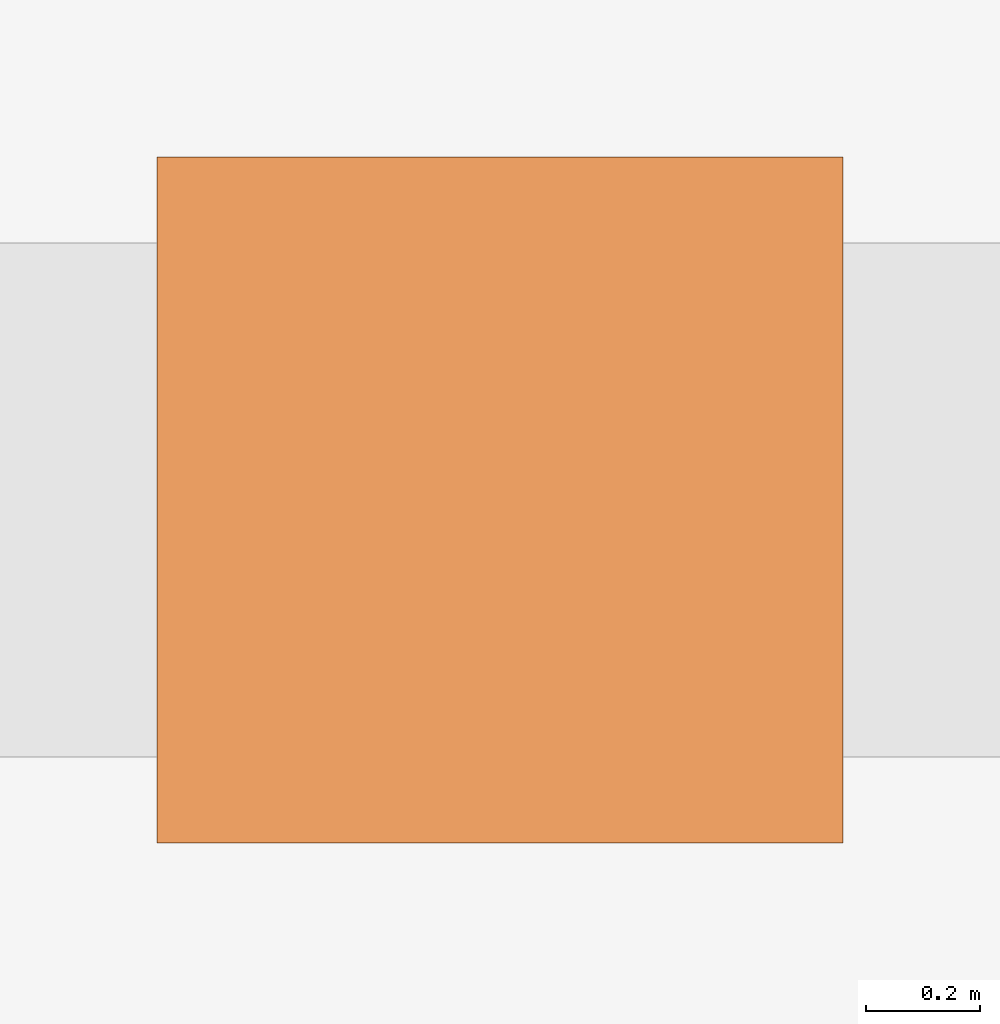
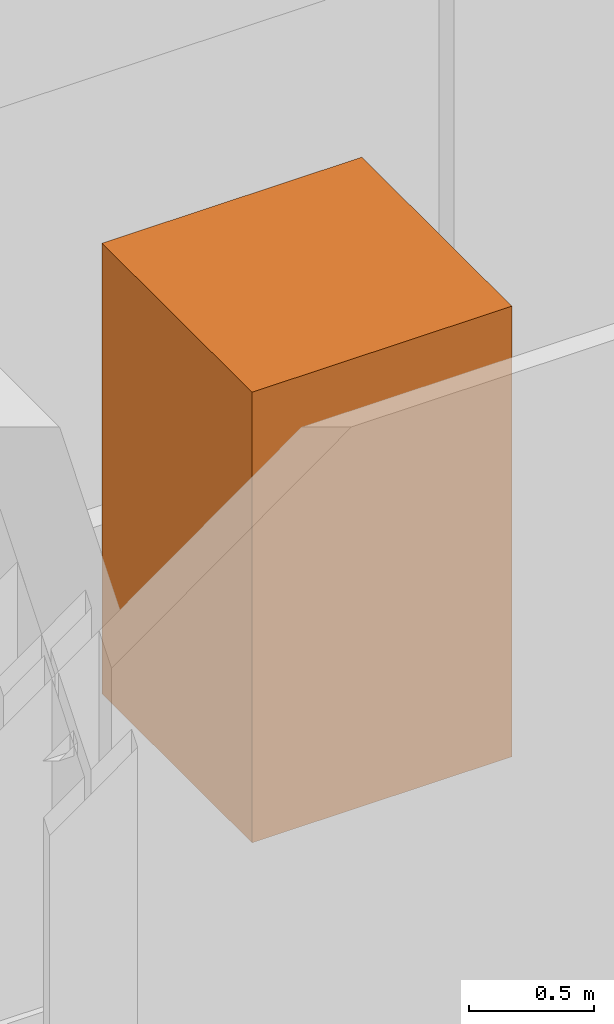
# One storey, part 10 of 10: 1 geographic element.
"""IFC4 building model written with IfcOpenShell, lengths in metres."""

import ifcopenshell
import ifcopenshell.guid

model = None  # the IFC model being written
_history = None  # IfcOwnerHistory: only IFC2X3 demands one
_inside = {}  # id of a spatial element -> (the spatial element, [elements in it])
_under = {}  # id of a project, library or spatial element -> (it, [spatial elements below it])
_declared = {}  # id of a project -> (the project, [libraries it declares])
_typed = {}  # id of a type object -> (the type object, [elements of that type])
_made_of = {}  # id of a material, layer set ... -> (it, [elements and type objects made of it])


def new_model(schema):
    """Start an empty IFC model of exactly this schema.

    Asked for "IFC4X3", IfcOpenShell would pick the latest addendum, in which some entities
    have other attributes; the version numbers below select the first issue.
    IFC2X3 requires an IfcOwnerHistory on every rooted entity: one is made here for all.
    """
    global model, _history
    if schema == "IFC4X3":
        model = ifcopenshell.file(schema_version=(4, 3, 0, 0))
    else:
        model = ifcopenshell.file(schema=schema)
    _inside.clear()
    _under.clear()
    _declared.clear()
    _typed.clear()
    _made_of.clear()
    _history = None
    if model.schema == "IFC2X3":
        org = make("IfcOrganization", Name="unknown")
        user = make(
            "IfcPersonAndOrganization",
            ThePerson=make("IfcPerson", FamilyName="unknown"),
            TheOrganization=org,
        )
        app = make(
            "IfcApplication",
            ApplicationDeveloper=org,
            Version="unknown",
            ApplicationFullName="unknown",
            ApplicationIdentifier="unknown",
        )
        _history = make(
            "IfcOwnerHistory",
            OwningUser=user,
            OwningApplication=app,
            ChangeAction="ADDED",
            CreationDate=0,
        )
    return model


def make(cls, **values):
    """One entity of the class cls with the attributes given. An attribute that is None is left unset."""
    return model.create_entity(
        cls, **{name: value for name, value in values.items() if value is not None}
    )


def rooted(cls, **values):
    """An entity with a GlobalId (a new one), such as an element, a storey or a relation."""
    return make(cls, GlobalId=ifcopenshell.guid.new(), OwnerHistory=_history, **values)


def si_unit(unit_type, name, prefix=None):
    """IfcSIUnit, for example si_unit("LENGTHUNIT", "METRE", prefix="MILLI")."""
    return make("IfcSIUnit", UnitType=unit_type, Prefix=prefix, Name=name)


def assignment(units):
    """IfcUnitAssignment: the units of a project."""
    return None if units is None else make("IfcUnitAssignment", Units=units)


def point(xyz):
    """IfcCartesianPoint."""
    return None if xyz is None else make("IfcCartesianPoint", Coordinates=xyz)


def direction(xyz):
    """IfcDirection."""
    return None if xyz is None else make("IfcDirection", DirectionRatios=xyz)


def frame(location, z_axis=None, x_axis=None):
    """IfcAxis2Placement3D, a coordinate frame: its origin and axes. An axis left out is left unset."""
    return make(
        "IfcAxis2Placement3D",
        Location=point(location),
        Axis=direction(z_axis),
        RefDirection=direction(x_axis),
    )


def frame_2d(location, x_axis=None):
    """IfcAxis2Placement2D, a coordinate frame in the plane: its origin and x axis."""
    return make(
        "IfcAxis2Placement2D", Location=point(location), RefDirection=direction(x_axis)
    )


def origin():
    """The frame at (0, 0, 0) with its axes left unset."""
    return frame((0.0, 0.0, 0.0))


def origin_2d():
    """The frame at (0, 0) in the plane with its x axis left unset."""
    return frame_2d((0.0, 0.0))


def place(relative_to, where):
    """IfcLocalPlacement: puts the frame where relative to a parent placement (None: the world)."""
    return make(
        "IfcLocalPlacement", PlacementRelTo=relative_to, RelativePlacement=where
    )


def context(
    kind, dimensions, precision=None, world=None, true_north=None, identifier=None
):
    """IfcGeometricRepresentationContext, for example the 3D "Model" context."""
    return make(
        "IfcGeometricRepresentationContext",
        ContextIdentifier=identifier,
        ContextType=kind,
        CoordinateSpaceDimension=dimensions,
        Precision=precision,
        WorldCoordinateSystem=world,
        TrueNorth=true_north,
    )


def subcontext(parent, identifier, kind, view, scale=None):
    """IfcGeometricRepresentationSubContext, for example "Body" below "Model"."""
    return make(
        "IfcGeometricRepresentationSubContext",
        ContextIdentifier=identifier,
        ContextType=kind,
        ParentContext=parent,
        TargetScale=scale,
        TargetView=view,
    )


def project(units=None, contexts=None):
    """IfcProject with its units and contexts."""
    return rooted(
        "IfcProject",
        Name="project",
        RepresentationContexts=contexts,
        UnitsInContext=assignment(units),
    )


def spatial(cls, under=None, at=None, **own):
    """A site, building, storey or space (cls), placed at a placement, below another one or the project."""
    s = rooted(cls, ObjectPlacement=at, **own)
    if under is not None:
        _under.setdefault(under.id(), (under, []))[1].append(s)
    return s


def profile(cls, at=None, kind="AREA", **sizes):
    """A parametric profile (cls). Its sizes go by their IFC names, for example OverallWidth=200.0."""
    return make(cls, ProfileType=kind, Position=at, **sizes)


def rectangle(**sizes):
    """IfcRectangleProfileDef."""
    return profile("IfcRectangleProfileDef", **sizes)


def extrude(swept, where, along, depth):
    """IfcExtrudedAreaSolid: the profile swept, set in the frame where, extruded along a direction by depth."""
    return make(
        "IfcExtrudedAreaSolid",
        SweptArea=swept,
        Position=where,
        ExtrudedDirection=direction(along),
        Depth=depth,
    )


def shape(context_of_items, identifier, shape_type, items):
    """IfcShapeRepresentation: the items that make up one representation, for example the "Body"."""
    return make(
        "IfcShapeRepresentation",
        ContextOfItems=context_of_items,
        RepresentationIdentifier=identifier,
        RepresentationType=shape_type,
        Items=items,
    )


def material(Name=None, Category=None):
    """IfcMaterial."""
    return make("IfcMaterial", Name=Name, Category=Category)


def made_of(thing, what):
    """Note that an element or type object is made of a material, layer set ...; save() writes the relation."""
    if what is not None:
        _made_of.setdefault(what.id(), (what, []))[1].append(thing)
    return thing


def type_object(cls, material=None, **own):
    """A type object (cls), such as IfcWallType, which elements share."""
    return made_of(rooted(cls, **own), material)


def element(
    cls,
    number,
    at=None,
    inside=None,
    cuts=None,
    type_object=None,
    material=None,
    context=None,
    identifier="Body",
    shape_type=None,
    held_by="IfcProductDefinitionShape",
    body=None,
    shapes=None,
    **own,
):
    """One element of the class cls, such as IfcWall. Its Tag is "e" and its number.

    at: its placement. inside: the storey or other place that contains it. cuts: it is an
    opening in that element (IfcRelVoidsElement). A single representation is given by context,
    identifier, shape_type and body (its items); several are given by shapes. held_by: the class
    of the entity that holds the representations. save() writes the other relations.
    """
    e = rooted(cls, Tag="e%d" % number, ObjectPlacement=at, **own)
    if body is not None:
        shapes = [shape(context, identifier, shape_type, body)]
    if shapes is not None:
        e.Representation = make(held_by, Representations=shapes)
    if inside is not None:
        _inside.setdefault(inside.id(), (inside, []))[1].append(e)
    if cuts is not None:
        rooted(
            "IfcRelVoidsElement", RelatingBuildingElement=cuts, RelatedOpeningElement=e
        )
    if type_object is not None:
        _typed.setdefault(type_object.id(), (type_object, []))[1].append(e)
    return made_of(e, material)


def aggregate(whole, parts):
    """IfcRelAggregates: a whole, such as a stair, and the parts it consists of."""
    return rooted("IfcRelAggregates", RelatingObject=whole, RelatedObjects=parts)


def save(model, path):
    """Write the relations noted so far, then the file.

    IfcRelAggregates (storeys below a building ...), IfcRelContainedInSpatialStructure (elements
    in a storey), IfcRelDefinesByType, IfcRelAssociatesMaterial and IfcRelDeclares: one each for
    every whole, place, type object, material and project.
    """
    for whole, parts in _under.values():
        aggregate(whole, parts)
    for where, things in _inside.values():
        rooted(
            "IfcRelContainedInSpatialStructure",
            RelatedElements=things,
            RelatingStructure=where,
        )
    for kind, things in _typed.values():
        rooted("IfcRelDefinesByType", RelatedObjects=things, RelatingType=kind)
    for what, things in _made_of.values():
        rooted("IfcRelAssociatesMaterial", RelatedObjects=things, RelatingMaterial=what)
    for by, libraries in _declared.values():
        rooted("IfcRelDeclares", RelatingContext=by, RelatedDefinitions=libraries)
    model.write(path)


model = new_model("IFC4")

# Units and contexts
model_context = context("Model", 3, precision=1e-05, world=origin(), true_north=direction((0.0, 1.0)))
body_context = subcontext(model_context, "Body", "Model", "MODEL_VIEW")
ifc_project = project(units=[si_unit("LENGTHUNIT", "METRE"), si_unit("AREAUNIT", "SQUARE_METRE"), si_unit("VOLUMEUNIT", "CUBIC_METRE"), si_unit("PLANEANGLEUNIT", "RADIAN"), si_unit("MASSUNIT", "GRAM", prefix="KILO")], contexts=[model_context])

# Site, building, storey
site_placement = place(None, origin())
site = spatial("IfcSite", under=ifc_project, at=site_placement, CompositionType="ELEMENT")
building_placement = place(site_placement, origin())
building = spatial("IfcBuilding", under=site, at=building_placement, Name="Immortelle Media Tower", CompositionType="ELEMENT")
storey_placement = place(building_placement, frame((0.0, 0.0, 233.0)))
storey = spatial("IfcBuildingStorey", under=building, at=storey_placement, Name="L50", CompositionType="ELEMENT", Elevation=233.0)

# Geographic element
ifc_material = material(Name="Tree canopy foliage")
geographic_element_type = type_object("IfcGeographicElementType", Name="Tree", PredefinedType="USERDEFINED", material=ifc_material)
geographic_element_placement = place(storey_placement, frame((26.0, 1.550048828125, 0.60009765625), z_axis=(0.0, 0.0, 1.0), x_axis=(1.0, 0.0, 0.0)))
element("IfcGeographicElement", 1, at=geographic_element_placement, inside=storey, type_object=geographic_element_type, Name="Tree L50 S2", ObjectType="Tree", PredefinedType="USERDEFINED", context=body_context, shape_type="SweptSolid", body=[
    extrude(rectangle(XDim=1.199951171875, YDim=1.199951171875, at=origin_2d()), origin(), (0.0, 0.0, 1.0), 2.199951171875),
])

save(model, "model.ifc")
